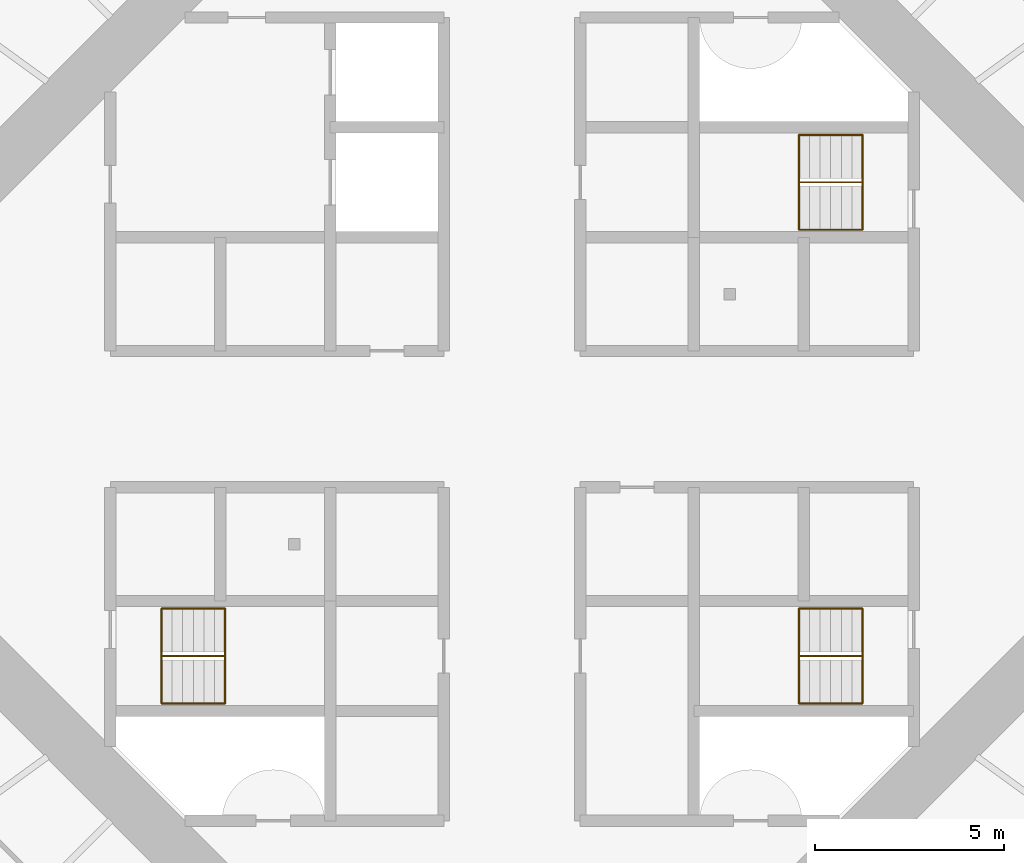
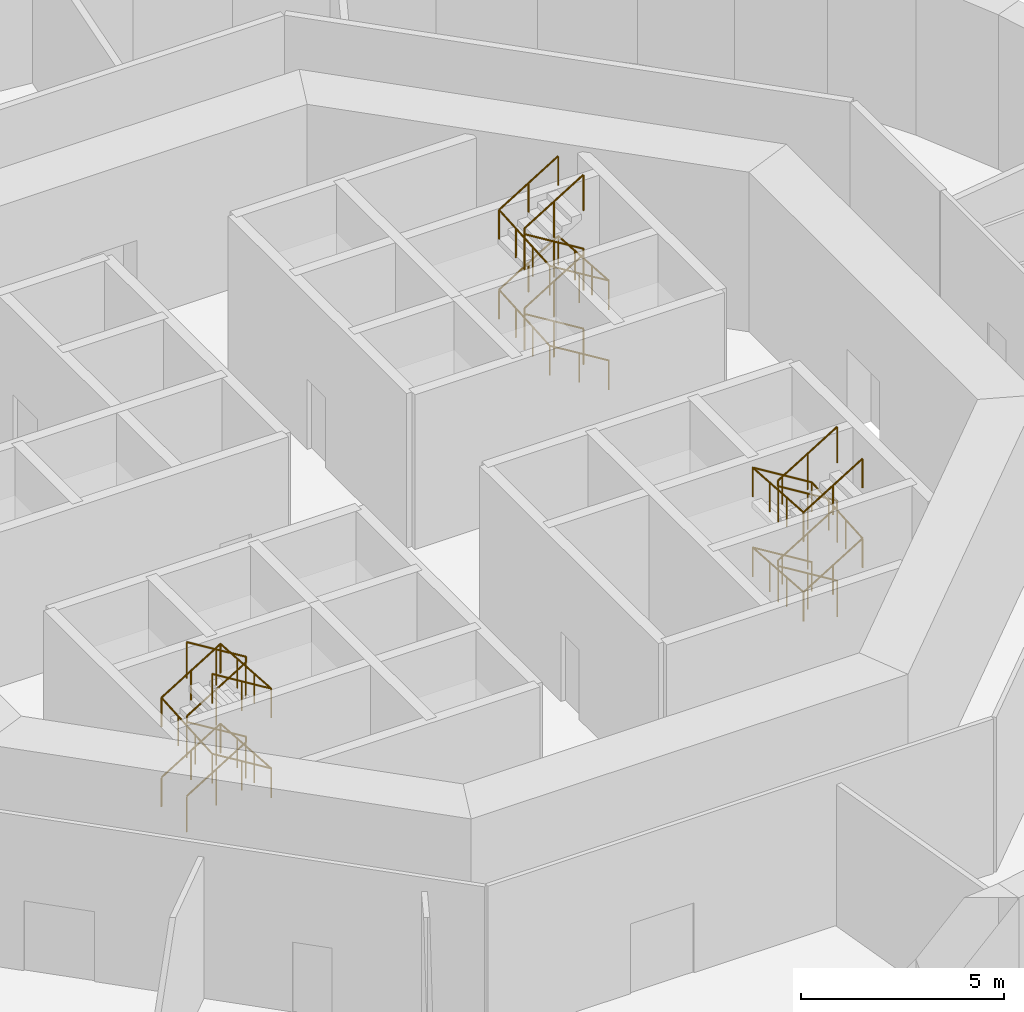
# One storey, part 7 of 7: 6 railings.
"""IFC4 building model written with IfcOpenShell, lengths in metres."""

from ifc_helpers import new_model, si_unit, direction, frame, origin, origin_2d, place, context, subcontext, project, spatial, circle, extrude, material, type_object, element, save


model = new_model("IFC4")

# Units and contexts
model_context = context("Model", 3, precision=1e-05, world=origin(), true_north=direction((0.0, 1.0)))
body_context = subcontext(model_context, "Body", "Model", "MODEL_VIEW")
ifc_project = project(units=[si_unit("LENGTHUNIT", "METRE"), si_unit("AREAUNIT", "SQUARE_METRE"), si_unit("VOLUMEUNIT", "CUBIC_METRE"), si_unit("PLANEANGLEUNIT", "RADIAN"), si_unit("MASSUNIT", "GRAM", prefix="KILO")], contexts=[model_context])

# Site, building, storey
site_placement = place(None, origin())
site = spatial("IfcSite", under=ifc_project, at=site_placement, CompositionType="ELEMENT")
building_placement = place(site_placement, origin())
building = spatial("IfcBuilding", under=site, at=building_placement, Name="Entoto Ring Tower", CompositionType="ELEMENT")
storey_placement = place(building_placement, frame((0.0, 0.0, -4.800048828125)))
storey = spatial("IfcBuildingStorey", under=building, at=storey_placement, Name="B1", CompositionType="ELEMENT", Elevation=-4.800048828125)

# Railings
ifc_material_1 = material(Name="Steel S275", Category="steel")
railing_type_1 = type_object("IfcRailingType", Name="Stair guard 1100 mm steel", PredefinedType="GUARDRAIL", material=ifc_material_1)
railing_1_placement = place(storey_placement, frame((99.25, 86.25, 0.17138671875)))
element("IfcRailing", 1, at=railing_1_placement, inside=storey, type_object=railing_type_1, Name="Guard ST1", PredefinedType="GUARDRAIL", context=body_context, shape_type="SweptSolid", body=[
    extrude(circle(Radius=0.02392578125, at=origin_2d()), frame((0.0, 0.0, 1.076171875), z_axis=(-0.852843419164, 0.0, 0.52216673811), x_axis=(0.0, -1.0, 0.0)), (0.0, 0.0, 1.0), 1.9697265625),
    extrude(circle(Radius=0.02392578125, at=origin_2d()), frame((-1.679931640625, 0.0, 2.1044921875), z_axis=(0.0, 0.0, 1.0), x_axis=(1.0, 0.0, 0.0)), (0.0, 0.0, 1.0), 0.171630859375),
    extrude(circle(Radius=0.02392578125, at=origin_2d()), frame((-1.679931640625, 0.0, 2.2763671875), z_axis=(0.852843419164, 0.0, 0.52216673811), x_axis=(0.0, 1.0, 0.0)), (0.0, 0.0, 1.0), 1.9697265625),
    extrude(circle(Radius=0.02392578125, at=origin_2d()), frame((0.0, 0.0, 3.3046875), z_axis=(0.0, 0.0, 1.0), x_axis=(1.0, 0.0, 0.0)), (0.0, 0.0, 1.0), 0.17138671875),
    extrude(circle(Radius=0.02392578125, at=origin_2d()), frame((0.0, 0.0, 3.47607421875), z_axis=(-0.852843419164, 0.0, 0.52216673811), x_axis=(0.0, -1.0, 0.0)), (0.0, 0.0, 1.0), 1.9697265625),
    extrude(circle(Radius=0.02392578125, at=origin_2d()), frame((-1.679931640625, 0.0, 4.5048828125), z_axis=(0.0, 0.0, 1.0), x_axis=(1.0, 0.0, 0.0)), (0.0, 0.0, 1.0), 0.17138671875),
    extrude(circle(Radius=0.02392578125, at=origin_2d()), frame((-1.679931640625, 0.0, 4.67626953125), z_axis=(0.852843419164, 0.0, 0.52216673811), x_axis=(0.0, 1.0, 0.0)), (0.0, 0.0, 1.0), 1.9697265625),
    extrude(circle(Radius=0.02099609375, at=origin_2d()), origin(), (0.0, 0.0, 1.0), 1.052001953125),
    extrude(circle(Radius=0.02099609375, at=origin_2d()), frame((-0.83984375, 0.0, 0.51416015625)), (0.0, 0.0, 1.0), 1.052001953125),
    extrude(circle(Radius=0.02099609375, at=origin_2d()), frame((-1.679931640625, 0.0, 1.028564453125)), (0.0, 0.0, 1.0), 1.052001953125),
    extrude(circle(Radius=0.02099609375, at=origin_2d()), frame((-1.679931640625, 0.0, 1.2001953125)), (0.0, 0.0, 1.0), 1.052001953125),
    extrude(circle(Radius=0.02099609375, at=origin_2d()), frame((-0.83984375, 0.0, 1.71435546875)), (0.0, 0.0, 1.0), 1.052001953125),
    extrude(circle(Radius=0.02099609375, at=origin_2d()), frame((0.0, 0.0, 2.228759765625)), (0.0, 0.0, 1.0), 1.052001953125),
    extrude(circle(Radius=0.02099609375, at=origin_2d()), frame((0.0, 0.0, 2.400146484375)), (0.0, 0.0, 1.0), 1.052001953125),
    extrude(circle(Radius=0.02099609375, at=origin_2d()), frame((-0.83984375, 0.0, 2.91455078125)), (0.0, 0.0, 1.0), 1.052001953125),
    extrude(circle(Radius=0.02099609375, at=origin_2d()), frame((-1.679931640625, 0.0, 3.4287109375)), (0.0, 0.0, 1.0), 1.052001953125),
    extrude(circle(Radius=0.02099609375, at=origin_2d()), frame((-1.679931640625, 0.0, 3.60009765625)), (0.0, 0.0, 1.0), 1.052001953125),
    extrude(circle(Radius=0.02099609375, at=origin_2d()), frame((-0.83984375, 0.0, 4.1142578125)), (0.0, 0.0, 1.0), 1.052001953125),
    extrude(circle(Radius=0.02099609375, at=origin_2d()), frame((0.0, 0.0, 4.628662109375)), (0.0, 0.0, 1.0), 1.052001953125),
])
railing_2_placement = place(storey_placement, frame((80.75, 73.75, 0.17138671875)))
element("IfcRailing", 2, at=railing_2_placement, inside=storey, type_object=railing_type_1, Name="Guard ST2", PredefinedType="GUARDRAIL", context=body_context, shape_type="SweptSolid", body=[
    extrude(circle(Radius=0.02392578125, at=origin_2d()), frame((0.0, 0.0, 1.076171875), z_axis=(0.852843419164, 0.0, 0.52216673811), x_axis=(0.0, 1.0, 0.0)), (0.0, 0.0, 1.0), 1.9697265625),
    extrude(circle(Radius=0.02392578125, at=origin_2d()), frame((1.679931640625, 0.0, 2.1044921875), z_axis=(0.0, 0.0, 1.0), x_axis=(1.0, 0.0, 0.0)), (0.0, 0.0, 1.0), 0.171630859375),
    extrude(circle(Radius=0.02392578125, at=origin_2d()), frame((1.679931640625, 0.0, 2.2763671875), z_axis=(-0.852843419164, 0.0, 0.52216673811), x_axis=(0.0, -1.0, 0.0)), (0.0, 0.0, 1.0), 1.9697265625),
    extrude(circle(Radius=0.02392578125, at=origin_2d()), frame((0.0, 0.0, 3.3046875), z_axis=(0.0, 0.0, 1.0), x_axis=(1.0, 0.0, 0.0)), (0.0, 0.0, 1.0), 0.17138671875),
    extrude(circle(Radius=0.02392578125, at=origin_2d()), frame((0.0, 0.0, 3.47607421875), z_axis=(0.852843419164, 0.0, 0.52216673811), x_axis=(0.0, 1.0, 0.0)), (0.0, 0.0, 1.0), 1.9697265625),
    extrude(circle(Radius=0.02392578125, at=origin_2d()), frame((1.679931640625, 0.0, 4.5048828125), z_axis=(0.0, 0.0, 1.0), x_axis=(1.0, 0.0, 0.0)), (0.0, 0.0, 1.0), 0.17138671875),
    extrude(circle(Radius=0.02392578125, at=origin_2d()), frame((1.679931640625, 0.0, 4.67626953125), z_axis=(-0.852843419164, 0.0, 0.52216673811), x_axis=(0.0, -1.0, 0.0)), (0.0, 0.0, 1.0), 1.9697265625),
    extrude(circle(Radius=0.02099609375, at=origin_2d()), origin(), (0.0, 0.0, 1.0), 1.052001953125),
    extrude(circle(Radius=0.02099609375, at=origin_2d()), frame((0.83984375, 0.0, 0.51416015625)), (0.0, 0.0, 1.0), 1.052001953125),
    extrude(circle(Radius=0.02099609375, at=origin_2d()), frame((1.679931640625, 0.0, 1.028564453125)), (0.0, 0.0, 1.0), 1.052001953125),
    extrude(circle(Radius=0.02099609375, at=origin_2d()), frame((1.679931640625, 0.0, 1.2001953125)), (0.0, 0.0, 1.0), 1.052001953125),
    extrude(circle(Radius=0.02099609375, at=origin_2d()), frame((0.83984375, 0.0, 1.71435546875)), (0.0, 0.0, 1.0), 1.052001953125),
    extrude(circle(Radius=0.02099609375, at=origin_2d()), frame((0.0, 0.0, 2.228759765625)), (0.0, 0.0, 1.0), 1.052001953125),
    extrude(circle(Radius=0.02099609375, at=origin_2d()), frame((0.0, 0.0, 2.400146484375)), (0.0, 0.0, 1.0), 1.052001953125),
    extrude(circle(Radius=0.02099609375, at=origin_2d()), frame((0.83984375, 0.0, 2.91455078125)), (0.0, 0.0, 1.0), 1.052001953125),
    extrude(circle(Radius=0.02099609375, at=origin_2d()), frame((1.679931640625, 0.0, 3.4287109375)), (0.0, 0.0, 1.0), 1.052001953125),
    extrude(circle(Radius=0.02099609375, at=origin_2d()), frame((1.679931640625, 0.0, 3.60009765625)), (0.0, 0.0, 1.0), 1.052001953125),
    extrude(circle(Radius=0.02099609375, at=origin_2d()), frame((0.83984375, 0.0, 4.1142578125)), (0.0, 0.0, 1.0), 1.052001953125),
    extrude(circle(Radius=0.02099609375, at=origin_2d()), frame((0.0, 0.0, 4.628662109375)), (0.0, 0.0, 1.0), 1.052001953125),
])
railing_3_placement = place(storey_placement, frame((99.25, 73.75, 0.17138671875)))
element("IfcRailing", 3, at=railing_3_placement, inside=storey, type_object=railing_type_1, Name="Guard ST3", PredefinedType="GUARDRAIL", context=body_context, shape_type="SweptSolid", body=[
    extrude(circle(Radius=0.02392578125, at=origin_2d()), frame((0.0, 0.0, 1.076171875), z_axis=(-0.852843419164, 0.0, 0.52216673811), x_axis=(0.0, -1.0, 0.0)), (0.0, 0.0, 1.0), 1.9697265625),
    extrude(circle(Radius=0.02392578125, at=origin_2d()), frame((-1.679931640625, 0.0, 2.1044921875), z_axis=(0.0, 0.0, 1.0), x_axis=(1.0, 0.0, 0.0)), (0.0, 0.0, 1.0), 0.171630859375),
    extrude(circle(Radius=0.02392578125, at=origin_2d()), frame((-1.679931640625, 0.0, 2.2763671875), z_axis=(0.852843419164, 0.0, 0.52216673811), x_axis=(0.0, 1.0, 0.0)), (0.0, 0.0, 1.0), 1.9697265625),
    extrude(circle(Radius=0.02392578125, at=origin_2d()), frame((0.0, 0.0, 3.3046875), z_axis=(0.0, 0.0, 1.0), x_axis=(1.0, 0.0, 0.0)), (0.0, 0.0, 1.0), 0.17138671875),
    extrude(circle(Radius=0.02392578125, at=origin_2d()), frame((0.0, 0.0, 3.47607421875), z_axis=(-0.852843419164, 0.0, 0.52216673811), x_axis=(0.0, -1.0, 0.0)), (0.0, 0.0, 1.0), 1.9697265625),
    extrude(circle(Radius=0.02392578125, at=origin_2d()), frame((-1.679931640625, 0.0, 4.5048828125), z_axis=(0.0, 0.0, 1.0), x_axis=(1.0, 0.0, 0.0)), (0.0, 0.0, 1.0), 0.17138671875),
    extrude(circle(Radius=0.02392578125, at=origin_2d()), frame((-1.679931640625, 0.0, 4.67626953125), z_axis=(0.852843419164, 0.0, 0.52216673811), x_axis=(0.0, 1.0, 0.0)), (0.0, 0.0, 1.0), 1.9697265625),
    extrude(circle(Radius=0.02099609375, at=origin_2d()), origin(), (0.0, 0.0, 1.0), 1.052001953125),
    extrude(circle(Radius=0.02099609375, at=origin_2d()), frame((-0.83984375, 0.0, 0.51416015625)), (0.0, 0.0, 1.0), 1.052001953125),
    extrude(circle(Radius=0.02099609375, at=origin_2d()), frame((-1.679931640625, 0.0, 1.028564453125)), (0.0, 0.0, 1.0), 1.052001953125),
    extrude(circle(Radius=0.02099609375, at=origin_2d()), frame((-1.679931640625, 0.0, 1.2001953125)), (0.0, 0.0, 1.0), 1.052001953125),
    extrude(circle(Radius=0.02099609375, at=origin_2d()), frame((-0.83984375, 0.0, 1.71435546875)), (0.0, 0.0, 1.0), 1.052001953125),
    extrude(circle(Radius=0.02099609375, at=origin_2d()), frame((0.0, 0.0, 2.228759765625)), (0.0, 0.0, 1.0), 1.052001953125),
    extrude(circle(Radius=0.02099609375, at=origin_2d()), frame((0.0, 0.0, 2.400146484375)), (0.0, 0.0, 1.0), 1.052001953125),
    extrude(circle(Radius=0.02099609375, at=origin_2d()), frame((-0.83984375, 0.0, 2.91455078125)), (0.0, 0.0, 1.0), 1.052001953125),
    extrude(circle(Radius=0.02099609375, at=origin_2d()), frame((-1.679931640625, 0.0, 3.4287109375)), (0.0, 0.0, 1.0), 1.052001953125),
    extrude(circle(Radius=0.02099609375, at=origin_2d()), frame((-1.679931640625, 0.0, 3.60009765625)), (0.0, 0.0, 1.0), 1.052001953125),
    extrude(circle(Radius=0.02099609375, at=origin_2d()), frame((-0.83984375, 0.0, 4.1142578125)), (0.0, 0.0, 1.0), 1.052001953125),
    extrude(circle(Radius=0.02099609375, at=origin_2d()), frame((0.0, 0.0, 4.628662109375)), (0.0, 0.0, 1.0), 1.052001953125),
])
ifc_material_2 = material(Name="Steel S275", Category="steel")
railing_type_2 = type_object("IfcRailingType", Name="Stair handrail 900 mm steel", PredefinedType="HANDRAIL", material=ifc_material_2)
railing_4_placement = place(storey_placement, frame((99.25, 85.0, 0.17138671875)))
element("IfcRailing", 4, at=railing_4_placement, inside=storey, type_object=railing_type_2, Name="Handrail ST1", PredefinedType="HANDRAIL", context=body_context, shape_type="SweptSolid", body=[
    extrude(circle(Radius=0.02392578125, at=origin_2d()), frame((0.0, 0.0, 0.8759765625), z_axis=(-0.852843419164, 0.0, 0.52216673811), x_axis=(0.0, -1.0, 0.0)), (0.0, 0.0, 1.0), 1.9697265625),
    extrude(circle(Radius=0.02392578125, at=origin_2d()), frame((-1.679931640625, 0.0, 1.904296875), z_axis=(0.0, 0.997651725414, 0.068491129196), x_axis=(-1.0, 0.0, 0.0)), (0.0, 0.0, 1.0), 2.505859375),
    extrude(circle(Radius=0.02392578125, at=origin_2d()), frame((-1.679931640625, 2.5, 2.076171875), z_axis=(0.852843419164, 0.0, 0.52216673811), x_axis=(0.0, 1.0, 0.0)), (0.0, 0.0, 1.0), 1.9697265625),
    extrude(circle(Radius=0.02392578125, at=origin_2d()), frame((0.0, 2.5, 3.1044921875), z_axis=(0.0, -0.997658377956, 0.068394158333), x_axis=(1.0, 0.0, 0.0)), (0.0, 0.0, 1.0), 2.505859375),
    extrude(circle(Radius=0.02392578125, at=origin_2d()), frame((0.0, 0.0, 3.27587890625), z_axis=(-0.852843419164, 0.0, 0.52216673811), x_axis=(0.0, -1.0, 0.0)), (0.0, 0.0, 1.0), 1.9697265625),
    extrude(circle(Radius=0.02392578125, at=origin_2d()), frame((-1.679931640625, 0.0, 4.3046875), z_axis=(0.0, 0.997658377956, 0.068394158333), x_axis=(-1.0, 0.0, 0.0)), (0.0, 0.0, 1.0), 2.505859375),
    extrude(circle(Radius=0.02392578125, at=origin_2d()), frame((-1.679931640625, 2.5, 4.47607421875), z_axis=(0.852843419164, 0.0, 0.52216673811), x_axis=(0.0, 1.0, 0.0)), (0.0, 0.0, 1.0), 1.9697265625),
    extrude(circle(Radius=0.02099609375, at=origin_2d()), origin(), (0.0, 0.0, 1.0), 0.851806640625),
    extrude(circle(Radius=0.02099609375, at=origin_2d()), frame((-0.83984375, 0.0, 0.51416015625)), (0.0, 0.0, 1.0), 0.851806640625),
    extrude(circle(Radius=0.02099609375, at=origin_2d()), frame((-1.679931640625, 0.0, 1.028564453125)), (0.0, 0.0, 1.0), 0.851806640625),
    extrude(circle(Radius=0.02099609375, at=origin_2d()), frame((-1.679931640625, 0.833251953125, 1.085693359375)), (0.0, 0.0, 1.0), 0.851806640625),
    extrude(circle(Radius=0.02099609375, at=origin_2d()), frame((-1.679931640625, 1.666748046875, 1.14306640625)), (0.0, 0.0, 1.0), 0.851806640625),
    extrude(circle(Radius=0.02099609375, at=origin_2d()), frame((-1.679931640625, 2.5, 1.2001953125)), (0.0, 0.0, 1.0), 0.851806640625),
    extrude(circle(Radius=0.02099609375, at=origin_2d()), frame((-0.83984375, 2.5, 1.71435546875)), (0.0, 0.0, 1.0), 0.851806640625),
    extrude(circle(Radius=0.02099609375, at=origin_2d()), frame((0.0, 2.5, 2.228759765625)), (0.0, 0.0, 1.0), 0.851806640625),
    extrude(circle(Radius=0.02099609375, at=origin_2d()), frame((0.0, 1.666748046875, 2.285888671875)), (0.0, 0.0, 1.0), 0.851806640625),
    extrude(circle(Radius=0.02099609375, at=origin_2d()), frame((0.0, 0.833251953125, 2.343017578125)), (0.0, 0.0, 1.0), 0.851806640625),
    extrude(circle(Radius=0.02099609375, at=origin_2d()), frame((0.0, 0.0, 2.400146484375)), (0.0, 0.0, 1.0), 0.851806640625),
    extrude(circle(Radius=0.02099609375, at=origin_2d()), frame((-0.83984375, 0.0, 2.91455078125)), (0.0, 0.0, 1.0), 0.851806640625),
    extrude(circle(Radius=0.02099609375, at=origin_2d()), frame((-1.679931640625, 0.0, 3.4287109375)), (0.0, 0.0, 1.0), 0.851806640625),
    extrude(circle(Radius=0.02099609375, at=origin_2d()), frame((-1.679931640625, 0.833251953125, 3.48583984375)), (0.0, 0.0, 1.0), 0.851806640625),
    extrude(circle(Radius=0.02099609375, at=origin_2d()), frame((-1.679931640625, 1.666748046875, 3.54296875)), (0.0, 0.0, 1.0), 0.851806640625),
    extrude(circle(Radius=0.02099609375, at=origin_2d()), frame((-1.679931640625, 2.5, 3.60009765625)), (0.0, 0.0, 1.0), 0.851806640625),
    extrude(circle(Radius=0.02099609375, at=origin_2d()), frame((-0.83984375, 2.5, 4.1142578125)), (0.0, 0.0, 1.0), 0.851806640625),
    extrude(circle(Radius=0.02099609375, at=origin_2d()), frame((0.0, 2.5, 4.628662109375)), (0.0, 0.0, 1.0), 0.851806640625),
])
railing_5_placement = place(storey_placement, frame((80.75, 75.0, 0.17138671875)))
element("IfcRailing", 5, at=railing_5_placement, inside=storey, type_object=railing_type_2, Name="Handrail ST2", PredefinedType="HANDRAIL", context=body_context, shape_type="SweptSolid", body=[
    extrude(circle(Radius=0.02392578125, at=origin_2d()), frame((0.0, 0.0, 0.8759765625), z_axis=(0.852843419164, 0.0, 0.52216673811), x_axis=(0.0, 1.0, 0.0)), (0.0, 0.0, 1.0), 1.9697265625),
    extrude(circle(Radius=0.02392578125, at=origin_2d()), frame((1.679931640625, 0.0, 1.904296875), z_axis=(0.0, -0.997651725414, 0.068491129196), x_axis=(1.0, 0.0, 0.0)), (0.0, 0.0, 1.0), 2.505859375),
    extrude(circle(Radius=0.02392578125, at=origin_2d()), frame((1.679931640625, -2.5, 2.076171875), z_axis=(-0.852843419164, 0.0, 0.52216673811), x_axis=(0.0, -1.0, 0.0)), (0.0, 0.0, 1.0), 1.9697265625),
    extrude(circle(Radius=0.02392578125, at=origin_2d()), frame((0.0, -2.5, 3.1044921875), z_axis=(0.0, 0.997658377956, 0.068394158333), x_axis=(-1.0, 0.0, 0.0)), (0.0, 0.0, 1.0), 2.505859375),
    extrude(circle(Radius=0.02392578125, at=origin_2d()), frame((0.0, 0.0, 3.27587890625), z_axis=(0.852843419164, 0.0, 0.52216673811), x_axis=(0.0, 1.0, 0.0)), (0.0, 0.0, 1.0), 1.9697265625),
    extrude(circle(Radius=0.02392578125, at=origin_2d()), frame((1.679931640625, 0.0, 4.3046875), z_axis=(0.0, -0.997658377956, 0.068394158333), x_axis=(1.0, 0.0, 0.0)), (0.0, 0.0, 1.0), 2.505859375),
    extrude(circle(Radius=0.02392578125, at=origin_2d()), frame((1.679931640625, -2.5, 4.47607421875), z_axis=(-0.852843419164, 0.0, 0.52216673811), x_axis=(0.0, -1.0, 0.0)), (0.0, 0.0, 1.0), 1.9697265625),
    extrude(circle(Radius=0.02099609375, at=origin_2d()), origin(), (0.0, 0.0, 1.0), 0.851806640625),
    extrude(circle(Radius=0.02099609375, at=origin_2d()), frame((0.83984375, 0.0, 0.51416015625)), (0.0, 0.0, 1.0), 0.851806640625),
    extrude(circle(Radius=0.02099609375, at=origin_2d()), frame((1.679931640625, 0.0, 1.028564453125)), (0.0, 0.0, 1.0), 0.851806640625),
    extrude(circle(Radius=0.02099609375, at=origin_2d()), frame((1.679931640625, -0.833251953125, 1.085693359375)), (0.0, 0.0, 1.0), 0.851806640625),
    extrude(circle(Radius=0.02099609375, at=origin_2d()), frame((1.679931640625, -1.666748046875, 1.14306640625)), (0.0, 0.0, 1.0), 0.851806640625),
    extrude(circle(Radius=0.02099609375, at=origin_2d()), frame((1.679931640625, -2.5, 1.2001953125)), (0.0, 0.0, 1.0), 0.851806640625),
    extrude(circle(Radius=0.02099609375, at=origin_2d()), frame((0.83984375, -2.5, 1.71435546875)), (0.0, 0.0, 1.0), 0.851806640625),
    extrude(circle(Radius=0.02099609375, at=origin_2d()), frame((0.0, -2.5, 2.228759765625)), (0.0, 0.0, 1.0), 0.851806640625),
    extrude(circle(Radius=0.02099609375, at=origin_2d()), frame((0.0, -1.666748046875, 2.285888671875)), (0.0, 0.0, 1.0), 0.851806640625),
    extrude(circle(Radius=0.02099609375, at=origin_2d()), frame((0.0, -0.833251953125, 2.343017578125)), (0.0, 0.0, 1.0), 0.851806640625),
    extrude(circle(Radius=0.02099609375, at=origin_2d()), frame((0.0, 0.0, 2.400146484375)), (0.0, 0.0, 1.0), 0.851806640625),
    extrude(circle(Radius=0.02099609375, at=origin_2d()), frame((0.83984375, 0.0, 2.91455078125)), (0.0, 0.0, 1.0), 0.851806640625),
    extrude(circle(Radius=0.02099609375, at=origin_2d()), frame((1.679931640625, 0.0, 3.4287109375)), (0.0, 0.0, 1.0), 0.851806640625),
    extrude(circle(Radius=0.02099609375, at=origin_2d()), frame((1.679931640625, -0.833251953125, 3.48583984375)), (0.0, 0.0, 1.0), 0.851806640625),
    extrude(circle(Radius=0.02099609375, at=origin_2d()), frame((1.679931640625, -1.666748046875, 3.54296875)), (0.0, 0.0, 1.0), 0.851806640625),
    extrude(circle(Radius=0.02099609375, at=origin_2d()), frame((1.679931640625, -2.5, 3.60009765625)), (0.0, 0.0, 1.0), 0.851806640625),
    extrude(circle(Radius=0.02099609375, at=origin_2d()), frame((0.83984375, -2.5, 4.1142578125)), (0.0, 0.0, 1.0), 0.851806640625),
    extrude(circle(Radius=0.02099609375, at=origin_2d()), frame((0.0, -2.5, 4.628662109375)), (0.0, 0.0, 1.0), 0.851806640625),
])
railing_6_placement = place(storey_placement, frame((99.25, 75.0, 0.17138671875)))
element("IfcRailing", 6, at=railing_6_placement, inside=storey, type_object=railing_type_2, Name="Handrail ST3", PredefinedType="HANDRAIL", context=body_context, shape_type="SweptSolid", body=[
    extrude(circle(Radius=0.02392578125, at=origin_2d()), frame((0.0, 0.0, 0.8759765625), z_axis=(-0.852843419164, 0.0, 0.52216673811), x_axis=(0.0, -1.0, 0.0)), (0.0, 0.0, 1.0), 1.9697265625),
    extrude(circle(Radius=0.02392578125, at=origin_2d()), frame((-1.679931640625, 0.0, 1.904296875), z_axis=(0.0, -0.997651725414, 0.068491129196), x_axis=(1.0, 0.0, 0.0)), (0.0, 0.0, 1.0), 2.505859375),
    extrude(circle(Radius=0.02392578125, at=origin_2d()), frame((-1.679931640625, -2.5, 2.076171875), z_axis=(0.852843419164, 0.0, 0.52216673811), x_axis=(0.0, 1.0, 0.0)), (0.0, 0.0, 1.0), 1.9697265625),
    extrude(circle(Radius=0.02392578125, at=origin_2d()), frame((0.0, -2.5, 3.1044921875), z_axis=(0.0, 0.997658377956, 0.068394158333), x_axis=(-1.0, 0.0, 0.0)), (0.0, 0.0, 1.0), 2.505859375),
    extrude(circle(Radius=0.02392578125, at=origin_2d()), frame((0.0, 0.0, 3.27587890625), z_axis=(-0.852843419164, 0.0, 0.52216673811), x_axis=(0.0, -1.0, 0.0)), (0.0, 0.0, 1.0), 1.9697265625),
    extrude(circle(Radius=0.02392578125, at=origin_2d()), frame((-1.679931640625, 0.0, 4.3046875), z_axis=(0.0, -0.997658377956, 0.068394158333), x_axis=(1.0, 0.0, 0.0)), (0.0, 0.0, 1.0), 2.505859375),
    extrude(circle(Radius=0.02392578125, at=origin_2d()), frame((-1.679931640625, -2.5, 4.47607421875), z_axis=(0.852843419164, 0.0, 0.52216673811), x_axis=(0.0, 1.0, 0.0)), (0.0, 0.0, 1.0), 1.9697265625),
    extrude(circle(Radius=0.02099609375, at=origin_2d()), origin(), (0.0, 0.0, 1.0), 0.851806640625),
    extrude(circle(Radius=0.02099609375, at=origin_2d()), frame((-0.83984375, 0.0, 0.51416015625)), (0.0, 0.0, 1.0), 0.851806640625),
    extrude(circle(Radius=0.02099609375, at=origin_2d()), frame((-1.679931640625, 0.0, 1.028564453125)), (0.0, 0.0, 1.0), 0.851806640625),
    extrude(circle(Radius=0.02099609375, at=origin_2d()), frame((-1.679931640625, -0.833251953125, 1.085693359375)), (0.0, 0.0, 1.0), 0.851806640625),
    extrude(circle(Radius=0.02099609375, at=origin_2d()), frame((-1.679931640625, -1.666748046875, 1.14306640625)), (0.0, 0.0, 1.0), 0.851806640625),
    extrude(circle(Radius=0.02099609375, at=origin_2d()), frame((-1.679931640625, -2.5, 1.2001953125)), (0.0, 0.0, 1.0), 0.851806640625),
    extrude(circle(Radius=0.02099609375, at=origin_2d()), frame((-0.83984375, -2.5, 1.71435546875)), (0.0, 0.0, 1.0), 0.851806640625),
    extrude(circle(Radius=0.02099609375, at=origin_2d()), frame((0.0, -2.5, 2.228759765625)), (0.0, 0.0, 1.0), 0.851806640625),
    extrude(circle(Radius=0.02099609375, at=origin_2d()), frame((0.0, -1.666748046875, 2.285888671875)), (0.0, 0.0, 1.0), 0.851806640625),
    extrude(circle(Radius=0.02099609375, at=origin_2d()), frame((0.0, -0.833251953125, 2.343017578125)), (0.0, 0.0, 1.0), 0.851806640625),
    extrude(circle(Radius=0.02099609375, at=origin_2d()), frame((0.0, 0.0, 2.400146484375)), (0.0, 0.0, 1.0), 0.851806640625),
    extrude(circle(Radius=0.02099609375, at=origin_2d()), frame((-0.83984375, 0.0, 2.91455078125)), (0.0, 0.0, 1.0), 0.851806640625),
    extrude(circle(Radius=0.02099609375, at=origin_2d()), frame((-1.679931640625, 0.0, 3.4287109375)), (0.0, 0.0, 1.0), 0.851806640625),
    extrude(circle(Radius=0.02099609375, at=origin_2d()), frame((-1.679931640625, -0.833251953125, 3.48583984375)), (0.0, 0.0, 1.0), 0.851806640625),
    extrude(circle(Radius=0.02099609375, at=origin_2d()), frame((-1.679931640625, -1.666748046875, 3.54296875)), (0.0, 0.0, 1.0), 0.851806640625),
    extrude(circle(Radius=0.02099609375, at=origin_2d()), frame((-1.679931640625, -2.5, 3.60009765625)), (0.0, 0.0, 1.0), 0.851806640625),
    extrude(circle(Radius=0.02099609375, at=origin_2d()), frame((-0.83984375, -2.5, 4.1142578125)), (0.0, 0.0, 1.0), 0.851806640625),
    extrude(circle(Radius=0.02099609375, at=origin_2d()), frame((0.0, -2.5, 4.628662109375)), (0.0, 0.0, 1.0), 0.851806640625),
])

save(model, "model.ifc")
